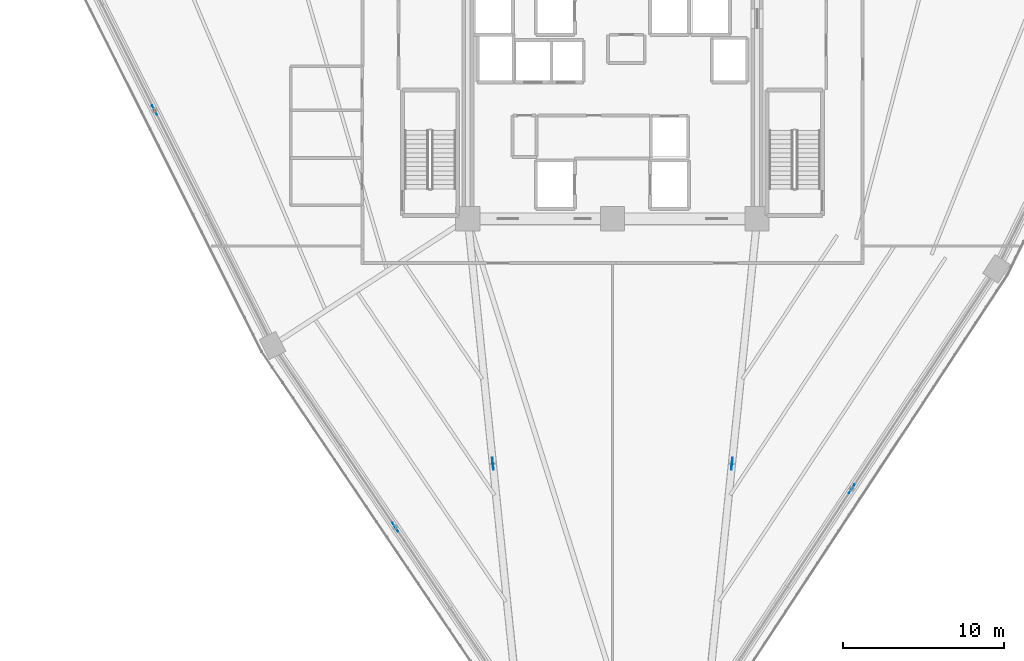
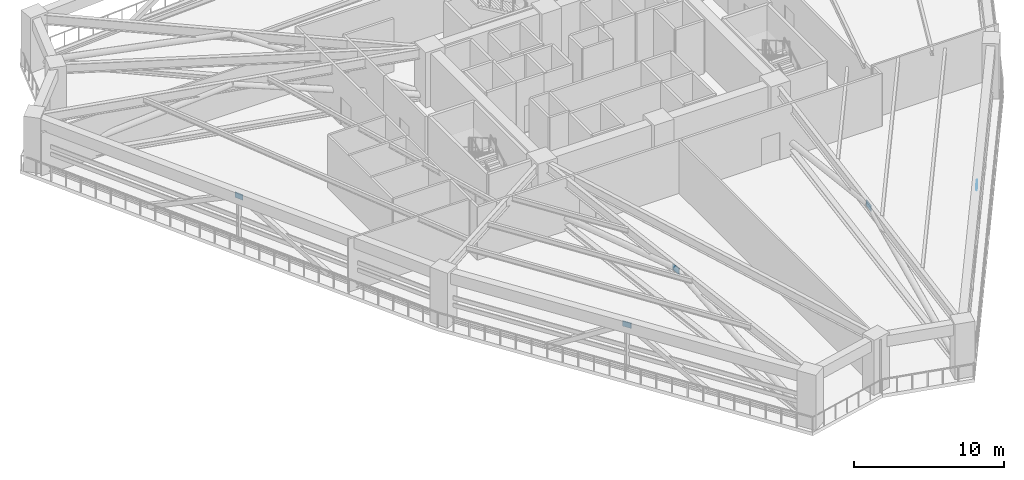
# One storey, part 12 of 23: 5 plates.
"""IFC4 building model written with IfcOpenShell, lengths in metres."""

import ifcopenshell
import ifcopenshell.guid

model = None  # the IFC model being written
_history = None  # IfcOwnerHistory: only IFC2X3 demands one
_inside = {}  # id of a spatial element -> (the spatial element, [elements in it])
_under = {}  # id of a project, library or spatial element -> (it, [spatial elements below it])
_declared = {}  # id of a project -> (the project, [libraries it declares])
_typed = {}  # id of a type object -> (the type object, [elements of that type])
_made_of = {}  # id of a material, layer set ... -> (it, [elements and type objects made of it])


def new_model(schema):
    """Start an empty IFC model of exactly this schema.

    Asked for "IFC4X3", IfcOpenShell would pick the latest addendum, in which some entities
    have other attributes; the version numbers below select the first issue.
    IFC2X3 requires an IfcOwnerHistory on every rooted entity: one is made here for all.
    """
    global model, _history
    if schema == "IFC4X3":
        model = ifcopenshell.file(schema_version=(4, 3, 0, 0))
    else:
        model = ifcopenshell.file(schema=schema)
    _inside.clear()
    _under.clear()
    _declared.clear()
    _typed.clear()
    _made_of.clear()
    _history = None
    if model.schema == "IFC2X3":
        org = make("IfcOrganization", Name="unknown")
        user = make(
            "IfcPersonAndOrganization",
            ThePerson=make("IfcPerson", FamilyName="unknown"),
            TheOrganization=org,
        )
        app = make(
            "IfcApplication",
            ApplicationDeveloper=org,
            Version="unknown",
            ApplicationFullName="unknown",
            ApplicationIdentifier="unknown",
        )
        _history = make(
            "IfcOwnerHistory",
            OwningUser=user,
            OwningApplication=app,
            ChangeAction="ADDED",
            CreationDate=0,
        )
    return model


def make(cls, **values):
    """One entity of the class cls with the attributes given. An attribute that is None is left unset."""
    return model.create_entity(
        cls, **{name: value for name, value in values.items() if value is not None}
    )


def rooted(cls, **values):
    """An entity with a GlobalId (a new one), such as an element, a storey or a relation."""
    return make(cls, GlobalId=ifcopenshell.guid.new(), OwnerHistory=_history, **values)


def si_unit(unit_type, name, prefix=None):
    """IfcSIUnit, for example si_unit("LENGTHUNIT", "METRE", prefix="MILLI")."""
    return make("IfcSIUnit", UnitType=unit_type, Prefix=prefix, Name=name)


def assignment(units):
    """IfcUnitAssignment: the units of a project."""
    return None if units is None else make("IfcUnitAssignment", Units=units)


def point(xyz):
    """IfcCartesianPoint."""
    return None if xyz is None else make("IfcCartesianPoint", Coordinates=xyz)


def direction(xyz):
    """IfcDirection."""
    return None if xyz is None else make("IfcDirection", DirectionRatios=xyz)


def frame(location, z_axis=None, x_axis=None):
    """IfcAxis2Placement3D, a coordinate frame: its origin and axes. An axis left out is left unset."""
    return make(
        "IfcAxis2Placement3D",
        Location=point(location),
        Axis=direction(z_axis),
        RefDirection=direction(x_axis),
    )


def frame_2d(location, x_axis=None):
    """IfcAxis2Placement2D, a coordinate frame in the plane: its origin and x axis."""
    return make(
        "IfcAxis2Placement2D", Location=point(location), RefDirection=direction(x_axis)
    )


def origin():
    """The frame at (0, 0, 0) with its axes left unset."""
    return frame((0.0, 0.0, 0.0))


def origin_2d():
    """The frame at (0, 0) in the plane with its x axis left unset."""
    return frame_2d((0.0, 0.0))


def place(relative_to, where):
    """IfcLocalPlacement: puts the frame where relative to a parent placement (None: the world)."""
    return make(
        "IfcLocalPlacement", PlacementRelTo=relative_to, RelativePlacement=where
    )


def context(
    kind, dimensions, precision=None, world=None, true_north=None, identifier=None
):
    """IfcGeometricRepresentationContext, for example the 3D "Model" context."""
    return make(
        "IfcGeometricRepresentationContext",
        ContextIdentifier=identifier,
        ContextType=kind,
        CoordinateSpaceDimension=dimensions,
        Precision=precision,
        WorldCoordinateSystem=world,
        TrueNorth=true_north,
    )


def subcontext(parent, identifier, kind, view, scale=None):
    """IfcGeometricRepresentationSubContext, for example "Body" below "Model"."""
    return make(
        "IfcGeometricRepresentationSubContext",
        ContextIdentifier=identifier,
        ContextType=kind,
        ParentContext=parent,
        TargetScale=scale,
        TargetView=view,
    )


def project(units=None, contexts=None):
    """IfcProject with its units and contexts."""
    return rooted(
        "IfcProject",
        Name="project",
        RepresentationContexts=contexts,
        UnitsInContext=assignment(units),
    )


def spatial(cls, under=None, at=None, **own):
    """A site, building, storey or space (cls), placed at a placement, below another one or the project."""
    s = rooted(cls, ObjectPlacement=at, **own)
    if under is not None:
        _under.setdefault(under.id(), (under, []))[1].append(s)
    return s


def profile(cls, at=None, kind="AREA", **sizes):
    """A parametric profile (cls). Its sizes go by their IFC names, for example OverallWidth=200.0."""
    return make(cls, ProfileType=kind, Position=at, **sizes)


def rectangle(**sizes):
    """IfcRectangleProfileDef."""
    return profile("IfcRectangleProfileDef", **sizes)


def extrude(swept, where, along, depth):
    """IfcExtrudedAreaSolid: the profile swept, set in the frame where, extruded along a direction by depth."""
    return make(
        "IfcExtrudedAreaSolid",
        SweptArea=swept,
        Position=where,
        ExtrudedDirection=direction(along),
        Depth=depth,
    )


def shape(context_of_items, identifier, shape_type, items):
    """IfcShapeRepresentation: the items that make up one representation, for example the "Body"."""
    return make(
        "IfcShapeRepresentation",
        ContextOfItems=context_of_items,
        RepresentationIdentifier=identifier,
        RepresentationType=shape_type,
        Items=items,
    )


def source(mapping_origin, context_of_items, identifier, shape_type, items):
    """IfcRepresentationMap: a shape defined once, which mapped items show again and again."""
    return make(
        "IfcRepresentationMap",
        MappingOrigin=mapping_origin,
        MappedRepresentation=shape(context_of_items, identifier, shape_type, items),
    )


def transform(
    local_origin,
    x_axis=None,
    y_axis=None,
    z_axis=None,
    scale=None,
    scale2=None,
    scale3=None,
    uniform=True,
):
    """IfcCartesianTransformationOperator3D, or its non-uniform kind. x_axis, y_axis, z_axis: its Axis1, 2, 3."""
    if uniform:
        return make(
            "IfcCartesianTransformationOperator3D",
            Axis1=direction(x_axis),
            Axis2=direction(y_axis),
            LocalOrigin=point(local_origin),
            Scale=scale,
            Axis3=direction(z_axis),
        )
    return make(
        "IfcCartesianTransformationOperator3DnonUniform",
        Axis1=direction(x_axis),
        Axis2=direction(y_axis),
        LocalOrigin=point(local_origin),
        Scale=scale,
        Axis3=direction(z_axis),
        Scale2=scale2,
        Scale3=scale3,
    )


def mapped(mapping_source, mapping_target):
    """IfcMappedItem: shows the shape of a source again, moved by a transform."""
    return make(
        "IfcMappedItem", MappingSource=mapping_source, MappingTarget=mapping_target
    )


def material(Name=None, Category=None):
    """IfcMaterial."""
    return make("IfcMaterial", Name=Name, Category=Category)


def layer(
    of_material, thickness, ventilated=None, Name=None, Category=None, Priority=None
):
    """IfcMaterialLayer: one layer of a wall or slab, of a material (None: an air gap)."""
    return make(
        "IfcMaterialLayer",
        Material=of_material,
        LayerThickness=thickness,
        IsVentilated=ventilated,
        Name=Name,
        Category=Category,
        Priority=Priority,
    )


def layer_set(layers, Name=None):
    """IfcMaterialLayerSet."""
    return make("IfcMaterialLayerSet", MaterialLayers=layers, LayerSetName=Name)


def made_of(thing, what):
    """Note that an element or type object is made of a material, layer set ...; save() writes the relation."""
    if what is not None:
        _made_of.setdefault(what.id(), (what, []))[1].append(thing)
    return thing


def type_object(cls, material=None, **own):
    """A type object (cls), such as IfcWallType, which elements share."""
    return made_of(rooted(cls, **own), material)


def element(
    cls,
    number,
    at=None,
    inside=None,
    cuts=None,
    type_object=None,
    material=None,
    context=None,
    identifier="Body",
    shape_type=None,
    held_by="IfcProductDefinitionShape",
    body=None,
    shapes=None,
    **own,
):
    """One element of the class cls, such as IfcWall. Its Tag is "e" and its number.

    at: its placement. inside: the storey or other place that contains it. cuts: it is an
    opening in that element (IfcRelVoidsElement). A single representation is given by context,
    identifier, shape_type and body (its items); several are given by shapes. held_by: the class
    of the entity that holds the representations. save() writes the other relations.
    """
    e = rooted(cls, Tag="e%d" % number, ObjectPlacement=at, **own)
    if body is not None:
        shapes = [shape(context, identifier, shape_type, body)]
    if shapes is not None:
        e.Representation = make(held_by, Representations=shapes)
    if inside is not None:
        _inside.setdefault(inside.id(), (inside, []))[1].append(e)
    if cuts is not None:
        rooted(
            "IfcRelVoidsElement", RelatingBuildingElement=cuts, RelatedOpeningElement=e
        )
    if type_object is not None:
        _typed.setdefault(type_object.id(), (type_object, []))[1].append(e)
    return made_of(e, material)


def aggregate(whole, parts):
    """IfcRelAggregates: a whole, such as a stair, and the parts it consists of."""
    return rooted("IfcRelAggregates", RelatingObject=whole, RelatedObjects=parts)


def save(model, path):
    """Write the relations noted so far, then the file.

    IfcRelAggregates (storeys below a building ...), IfcRelContainedInSpatialStructure (elements
    in a storey), IfcRelDefinesByType, IfcRelAssociatesMaterial and IfcRelDeclares: one each for
    every whole, place, type object, material and project.
    """
    for whole, parts in _under.values():
        aggregate(whole, parts)
    for where, things in _inside.values():
        rooted(
            "IfcRelContainedInSpatialStructure",
            RelatedElements=things,
            RelatingStructure=where,
        )
    for kind, things in _typed.values():
        rooted("IfcRelDefinesByType", RelatedObjects=things, RelatingType=kind)
    for what, things in _made_of.values():
        rooted("IfcRelAssociatesMaterial", RelatedObjects=things, RelatingMaterial=what)
    for by, libraries in _declared.values():
        rooted("IfcRelDeclares", RelatingContext=by, RelatedDefinitions=libraries)
    model.write(path)


model = new_model("IFC4")

# Units and contexts
model_context = context("Model", 3, precision=1e-05, world=origin(), true_north=direction((0.0, 1.0)))
body_context = subcontext(model_context, "Body", "Model", "MODEL_VIEW")
ifc_project = project(units=[si_unit("LENGTHUNIT", "METRE"), si_unit("AREAUNIT", "SQUARE_METRE"), si_unit("VOLUMEUNIT", "CUBIC_METRE"), si_unit("PLANEANGLEUNIT", "RADIAN"), si_unit("MASSUNIT", "GRAM", prefix="KILO")], contexts=[model_context])

# Site, building, storey
site_placement = place(None, origin())
site = spatial("IfcSite", under=ifc_project, at=site_placement, CompositionType="ELEMENT")
building_placement = place(site_placement, origin())
building = spatial("IfcBuilding", under=site, at=building_placement, Name="Liaohun Quay Tower", CompositionType="ELEMENT")
storey_placement = place(building_placement, frame((0.0, 0.0, 139.5)))
storey = spatial("IfcBuildingStorey", under=building, at=storey_placement, Name="L36", CompositionType="ELEMENT", Elevation=139.5)

# Plates
ifc_material = material(Name="Steel Q420D outrigger node gusset plate", Category="steel")
ifc_layer = layer(ifc_material, 0.0400390625, Name="Steel Q420D outrigger node gusset plate", Category="steel")
ifc_layer_set = layer_set([ifc_layer], Name="Steel Q420D outrigger node gusset plate")
plate_type = type_object("IfcPlateType", Name="PLT-GUS-OUT", PredefinedType="USERDEFINED", material=ifc_layer_set)
shared_shape_1 = source(origin(), body_context, "Body", "SweptSolid", [
    extrude(rectangle(XDim=0.75, YDim=0.0400390625, at=origin_2d()), origin(), (0.0, 0.0, 1.0), 0.5),
])
for number, where, z_axis, x_axis, name in (
    (1, (52.56103515625, 31.258056640625, 3.669921875), (0.0, 0.0, 1.0), (0.101924455795, -0.994792141762, 0.0), "L36 Outrigger Node Gusset Plate GP1-01"),
    (2, (67.43505859375, 31.258056640625, 3.669921875), (0.0, 0.0, 1.0), (-0.102098078224, -0.994774337437, 0.0), "L36 Outrigger Node Gusset Plate GP1-06"),
):
    element("IfcPlate", number, at=place(storey_placement, frame(where, z_axis=z_axis, x_axis=x_axis)), inside=storey, type_object=plate_type, Name=name, ObjectType="GUSSET PLATE", PredefinedType="USERDEFINED", context=body_context, shape_type="MappedRepresentation", body=[
        mapped(shared_shape_1, transform((0.0, 0.0, 0.0), x_axis=(1.0, 0.0, 0.0), y_axis=(0.0, 1.0, 0.0), z_axis=(0.0, 0.0, 1.0), scale=1.0)),
    ])
shared_shape_2 = source(origin(), body_context, "Body", "SweptSolid", [
    extrude(rectangle(XDim=0.64990234375, YDim=0.035888671875, at=origin_2d()), origin(), (0.0, 0.0, 1.0), 0.449951171875),
])
for number, where, z_axis, x_axis, name in (
    (3, (46.489013671875, 27.31591796875, 3.69482421875), (0.0, 0.0, 1.0), (-0.559771544562, 0.828646980263, 0.0), "L36 Belt Truss Node Gusset Plate GP1-B01"),
    (4, (31.511962890625, 53.262939453125, 3.69482421875), (0.0, 0.0, 1.0), (-0.448071179262, 0.893997884961, 0.0), "L36 Belt Truss Node Gusset Plate GP1-B02"),
    (5, (74.882080078125, 29.698974609375, 3.69482421875), (0.0, 0.0, 1.0), (-0.550043539327, -0.835135979853, 0.0), "L36 Belt Truss Node Gusset Plate GP1-B06"),
):
    element("IfcPlate", number, at=place(storey_placement, frame(where, z_axis=z_axis, x_axis=x_axis)), inside=storey, type_object=plate_type, Name=name, ObjectType="GUSSET PLATE", PredefinedType="USERDEFINED", context=body_context, shape_type="MappedRepresentation", body=[
        mapped(shared_shape_2, transform((0.0, 0.0, 0.0), x_axis=(1.0, 0.0, 0.0), y_axis=(0.0, 1.0, 0.0), z_axis=(0.0, 0.0, 1.0), scale=1.0)),
    ])

save(model, "model.ifc")
